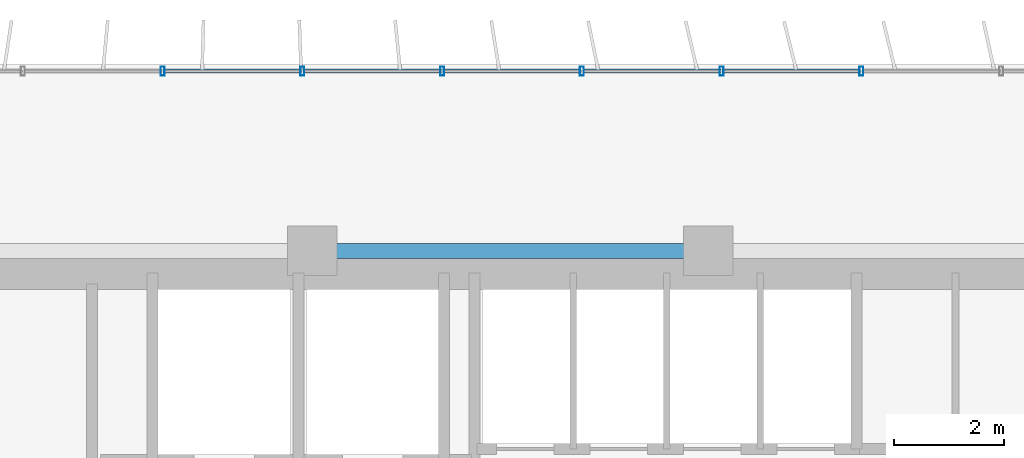
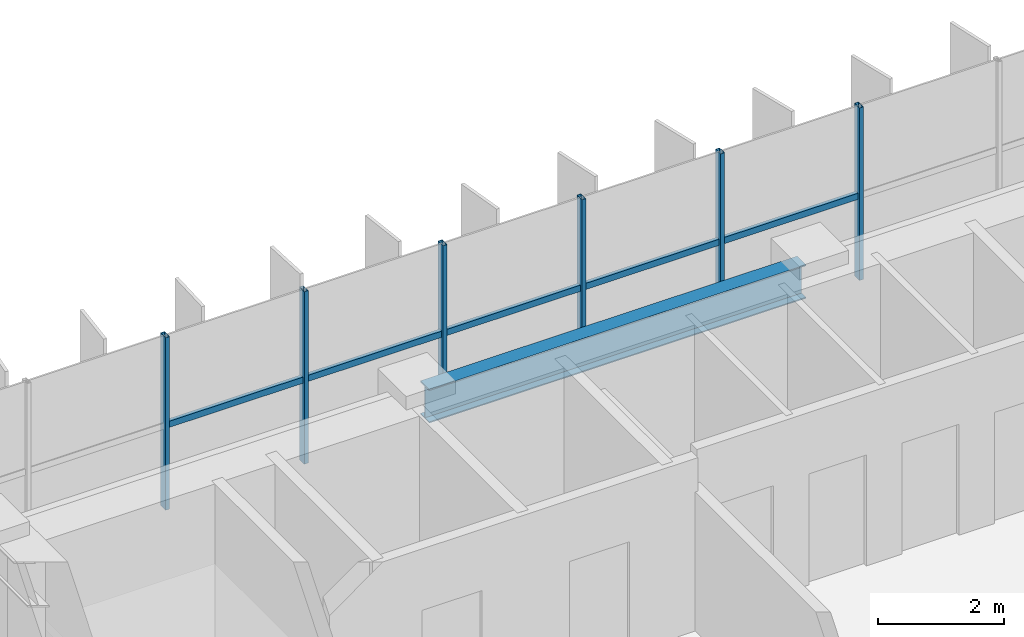
# One storey, part 7 of 22: 11 members, 1 beam, 1 element without a shape of its own.
"""IFC4 building model written with IfcOpenShell, lengths in metres."""

from ifc_helpers import new_model, si_unit, direction, frame, origin, origin_2d, place, context, subcontext, project, spatial, hollow_rectangle, i_section, extrude, source, transform, mapped, material, material_profile, profile_set, type_object, element, aggregate, save


model = new_model("IFC4")

# Units and contexts
model_context = context("Model", 3, precision=1e-05, world=origin(), true_north=direction((0.0, 1.0)))
body_context = subcontext(model_context, "Body", "Model", "MODEL_VIEW")
ifc_project = project(units=[si_unit("LENGTHUNIT", "METRE"), si_unit("AREAUNIT", "SQUARE_METRE"), si_unit("VOLUMEUNIT", "CUBIC_METRE"), si_unit("PLANEANGLEUNIT", "RADIAN"), si_unit("MASSUNIT", "GRAM", prefix="KILO")], contexts=[model_context])

# Site, building, storey
site_placement = place(None, origin())
site = spatial("IfcSite", under=ifc_project, at=site_placement, CompositionType="ELEMENT")
building_placement = place(site_placement, origin())
building = spatial("IfcBuilding", under=site, at=building_placement, Name="Trelvane Seafront Commons", CompositionType="ELEMENT")
storey_placement = place(building_placement, frame((0.0, 0.0, 59.5)))
storey = spatial("IfcBuildingStorey", under=building, at=storey_placement, Name="L15", CompositionType="ELEMENT", Elevation=59.5)

# Beam
ifc_material_1 = material(Name="Steel SM355 (S355)", Category="steel")
ifc_material_profile_1 = material_profile(ifc_material_1, i_section(OverallWidth=0.280029296875, OverallDepth=0.64990234375, WebThickness=0.012939453125, FlangeThickness=0.02197265625, at=origin_2d()), Name="H-650x280x13x22")
ifc_profile_set_1 = profile_set([ifc_material_profile_1], Name="Steel SM355 (S355)")
beam_type = type_object("IfcBeamType", Name="STR-BM-H650", PredefinedType="BEAM", material=ifc_profile_set_1)
shared_shape_1 = source(origin(), body_context, "Body", "SweptSolid", [
    extrude(i_section(OverallWidth=0.280029296875, OverallDepth=0.64990234375, WebThickness=0.012939453125, FlangeThickness=0.02197265625, at=origin_2d()), origin(), (0.0, 0.0, 1.0), 6.89990234375),
])
beam_placement = place(storey_placement, frame((23.550048828125, 45.10009765625, 3.014892578125), z_axis=(1.0, 0.0, 0.0), x_axis=(0.0, 1.0, 0.0)))
element("IfcBeam", 1, at=beam_placement, inside=storey, type_object=beam_type, Name="L15 Primary Girder G-31", PredefinedType="BEAM", context=body_context, shape_type="MappedRepresentation", body=[
    mapped(shared_shape_1, transform((0.0, 0.0, 0.0), x_axis=(1.0, 0.0, 0.0), y_axis=(0.0, 1.0, 0.0), z_axis=(0.0, 0.0, 1.0), scale=1.0)),
])

# Curtain wall, members
ifc_material_2 = material(Name="Anodised pale-silver aluminium", Category="aluminium")
curtain_wall_type = type_object("IfcCurtainWallType", Name="ARCH-CW2-LOWTOWER", PredefinedType="NOTDEFINED", material=ifc_material_2)
curtain_wall_placement = place(storey_placement, origin())
curtain_wall = element("IfcCurtainWall", 2, at=curtain_wall_placement, inside=storey, type_object=curtain_wall_type, Name="CW-L15-0039", PredefinedType="NOTDEFINED")
ifc_material_profile_2 = material_profile(ifc_material_2, hollow_rectangle(XDim=0.074951171875, YDim=0.159912109375, WallThickness=0.00390625, at=origin_2d()), Name="MULL-75x160x4")
ifc_profile_set_2 = profile_set([ifc_material_profile_2], Name="Anodised pale-silver aluminium")
member_type_1 = type_object("IfcMemberType", Name="ARCH-CW-MULL-160", PredefinedType="MULLION", material=ifc_profile_set_2)
shared_shape_2 = source(origin(), body_context, "Body", "SweptSolid", [
    extrude(hollow_rectangle(XDim=0.074951171875, YDim=0.159912109375, WallThickness=0.00390625, at=origin_2d()), origin(), (0.0, 0.0, 1.0), 3.340087890625),
])
member_1_placement = place(storey_placement, frame((20.682373046875, 48.3701171875, 0.0), z_axis=(0.0, 0.0, 1.0), x_axis=(1.0, 0.0, 0.0)))
member_1 = element("IfcMember", 3, at=member_1_placement, type_object=member_type_1, Name="CW-L15-0039-M02", PredefinedType="MULLION", context=body_context, shape_type="MappedRepresentation", body=[
    mapped(shared_shape_2, transform((0.0, 0.0, 0.0), x_axis=(1.0, 0.0, 0.0), y_axis=(0.0, 1.0, 0.0), z_axis=(0.0, 0.0, 1.0), scale=1.0)),
])
member_2_placement = place(storey_placement, frame((23.223388671875, 48.3701171875, 0.0), z_axis=(0.0, 0.0, 1.0), x_axis=(1.0, 0.0, 0.0)))
member_2 = element("IfcMember", 4, at=member_2_placement, type_object=member_type_1, Name="CW-L15-0039-M03", PredefinedType="MULLION", context=body_context, shape_type="MappedRepresentation", body=[
    mapped(shared_shape_2, transform((0.0, 0.0, 0.0), x_axis=(1.0, 0.0, 0.0), y_axis=(0.0, 1.0, 0.0), z_axis=(0.0, 0.0, 1.0), scale=1.0)),
])
member_3_placement = place(storey_placement, frame((25.7646484375, 48.3701171875, 0.0), z_axis=(0.0, 0.0, 1.0), x_axis=(1.0, 0.0, 0.0)))
member_3 = element("IfcMember", 5, at=member_3_placement, type_object=member_type_1, Name="CW-L15-0039-M04", PredefinedType="MULLION", context=body_context, shape_type="MappedRepresentation", body=[
    mapped(shared_shape_2, transform((0.0, 0.0, 0.0), x_axis=(1.0, 0.0, 0.0), y_axis=(0.0, 1.0, 0.0), z_axis=(0.0, 0.0, 1.0), scale=1.0)),
])
member_4_placement = place(storey_placement, frame((28.305908203125, 48.3701171875, 0.0), z_axis=(0.0, 0.0, 1.0), x_axis=(1.0, 0.0, 0.0)))
member_4 = element("IfcMember", 6, at=member_4_placement, type_object=member_type_1, Name="CW-L15-0039-M05", PredefinedType="MULLION", context=body_context, shape_type="MappedRepresentation", body=[
    mapped(shared_shape_2, transform((0.0, 0.0, 0.0), x_axis=(1.0, 0.0, 0.0), y_axis=(0.0, 1.0, 0.0), z_axis=(0.0, 0.0, 1.0), scale=1.0)),
])
member_5_placement = place(storey_placement, frame((30.84716796875, 48.3701171875, 0.0), z_axis=(0.0, 0.0, 1.0), x_axis=(1.0, 0.0, 0.0)))
member_5 = element("IfcMember", 7, at=member_5_placement, type_object=member_type_1, Name="CW-L15-0039-M06", PredefinedType="MULLION", context=body_context, shape_type="MappedRepresentation", body=[
    mapped(shared_shape_2, transform((0.0, 0.0, 0.0), x_axis=(1.0, 0.0, 0.0), y_axis=(0.0, 1.0, 0.0), z_axis=(0.0, 0.0, 1.0), scale=1.0)),
])
member_6_placement = place(storey_placement, frame((33.38818359375, 48.3701171875, 0.0), z_axis=(0.0, 0.0, 1.0), x_axis=(1.0, 0.0, 0.0)))
member_6 = element("IfcMember", 8, at=member_6_placement, type_object=member_type_1, Name="CW-L15-0039-M07", PredefinedType="MULLION", context=body_context, shape_type="MappedRepresentation", body=[
    mapped(shared_shape_2, transform((0.0, 0.0, 0.0), x_axis=(1.0, 0.0, 0.0), y_axis=(0.0, 1.0, 0.0), z_axis=(0.0, 0.0, 1.0), scale=1.0)),
])
ifc_material_profile_3 = material_profile(ifc_material_2, hollow_rectangle(XDim=0.070068359375, YDim=0.1201171875, WallThickness=0.00390625, at=origin_2d()), Name="TRAN-70x120x4")
ifc_profile_set_3 = profile_set([ifc_material_profile_3], Name="Anodised pale-silver aluminium")
member_type_2 = type_object("IfcMemberType", Name="ARCH-CW-TRAN-120", PredefinedType="USERDEFINED", material=ifc_profile_set_3)
shared_shape_3 = source(origin(), body_context, "Body", "SweptSolid", [
    extrude(hollow_rectangle(XDim=0.070068359375, YDim=0.1201171875, WallThickness=0.00390625, at=origin_2d()), origin(), (0.0, 0.0, 1.0), 2.51708984375),
])
member_7_placement = place(storey_placement, frame((20.6943359375, 48.3701171875, 1.60302734375), z_axis=(1.0, 0.0, 0.0), x_axis=(0.0, 1.0, 0.0)))
member_7 = element("IfcMember", 9, at=member_7_placement, type_object=member_type_2, Name="CW-L15-0039-T02", ObjectType="TRANSOM", PredefinedType="USERDEFINED", context=body_context, shape_type="MappedRepresentation", body=[
    mapped(shared_shape_3, transform((0.0, 0.0, 0.0), x_axis=(1.0, 0.0, 0.0), y_axis=(0.0, 1.0, 0.0), z_axis=(0.0, 0.0, 1.0), scale=1.0)),
])
member_8_placement = place(storey_placement, frame((23.235595703125, 48.3701171875, 1.60302734375), z_axis=(1.0, 0.0, 0.0), x_axis=(0.0, 1.0, 0.0)))
member_8 = element("IfcMember", 10, at=member_8_placement, type_object=member_type_2, Name="CW-L15-0039-T03", ObjectType="TRANSOM", PredefinedType="USERDEFINED", context=body_context, shape_type="MappedRepresentation", body=[
    mapped(shared_shape_3, transform((0.0, 0.0, 0.0), x_axis=(1.0, 0.0, 0.0), y_axis=(0.0, 1.0, 0.0), z_axis=(0.0, 0.0, 1.0), scale=1.0)),
])
member_9_placement = place(storey_placement, frame((30.859130859375, 48.3701171875, 1.60302734375), z_axis=(1.0, 0.0, 0.0), x_axis=(0.0, 1.0, 0.0)))
member_9 = element("IfcMember", 11, at=member_9_placement, type_object=member_type_2, Name="CW-L15-0039-T06", ObjectType="TRANSOM", PredefinedType="USERDEFINED", context=body_context, shape_type="MappedRepresentation", body=[
    mapped(shared_shape_3, transform((0.0, 0.0, 0.0), x_axis=(1.0, 0.0, 0.0), y_axis=(0.0, 1.0, 0.0), z_axis=(0.0, 0.0, 1.0), scale=1.0)),
])
shared_shape_4 = source(origin(), body_context, "Body", "SweptSolid", [
    extrude(hollow_rectangle(XDim=0.070068359375, YDim=0.1201171875, WallThickness=0.00390625, at=origin_2d()), origin(), (0.0, 0.0, 1.0), 2.517333984375),
])
member_10_placement = place(storey_placement, frame((25.776611328125, 48.3701171875, 1.60302734375), z_axis=(1.0, 0.0, 0.0), x_axis=(0.0, 1.0, 0.0)))
member_10 = element("IfcMember", 12, at=member_10_placement, type_object=member_type_2, Name="CW-L15-0039-T04", ObjectType="TRANSOM", PredefinedType="USERDEFINED", context=body_context, shape_type="MappedRepresentation", body=[
    mapped(shared_shape_4, transform((0.0, 0.0, 0.0), x_axis=(1.0, 0.0, 0.0), y_axis=(0.0, 1.0, 0.0), z_axis=(0.0, 0.0, 1.0), scale=1.0)),
])
member_11_placement = place(storey_placement, frame((28.31787109375, 48.3701171875, 1.60302734375), z_axis=(1.0, 0.0, 0.0), x_axis=(0.0, 1.0, 0.0)))
member_11 = element("IfcMember", 13, at=member_11_placement, type_object=member_type_2, Name="CW-L15-0039-T05", ObjectType="TRANSOM", PredefinedType="USERDEFINED", context=body_context, shape_type="MappedRepresentation", body=[
    mapped(shared_shape_4, transform((0.0, 0.0, 0.0), x_axis=(1.0, 0.0, 0.0), y_axis=(0.0, 1.0, 0.0), z_axis=(0.0, 0.0, 1.0), scale=1.0)),
])
aggregate(curtain_wall, [member_1, member_2, member_3, member_4, member_5, member_6, member_7, member_8, member_10, member_11, member_9])

save(model, "model.ifc")
